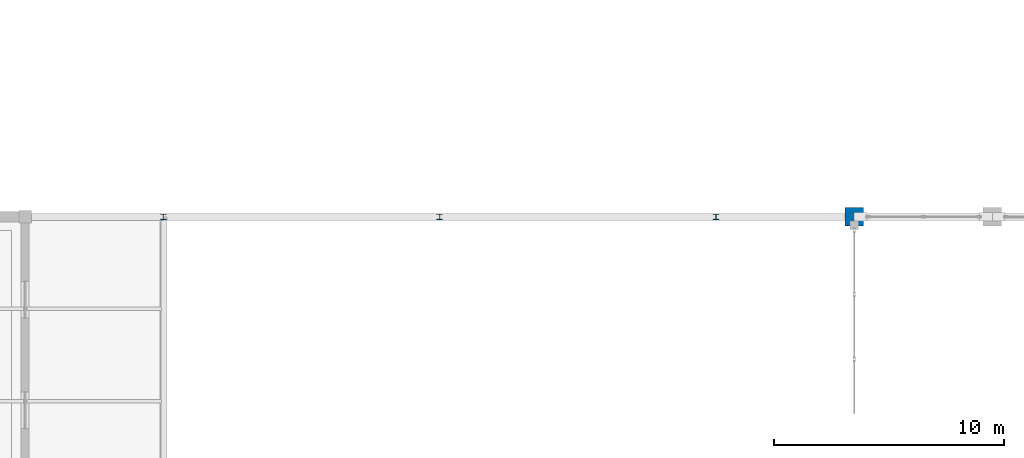
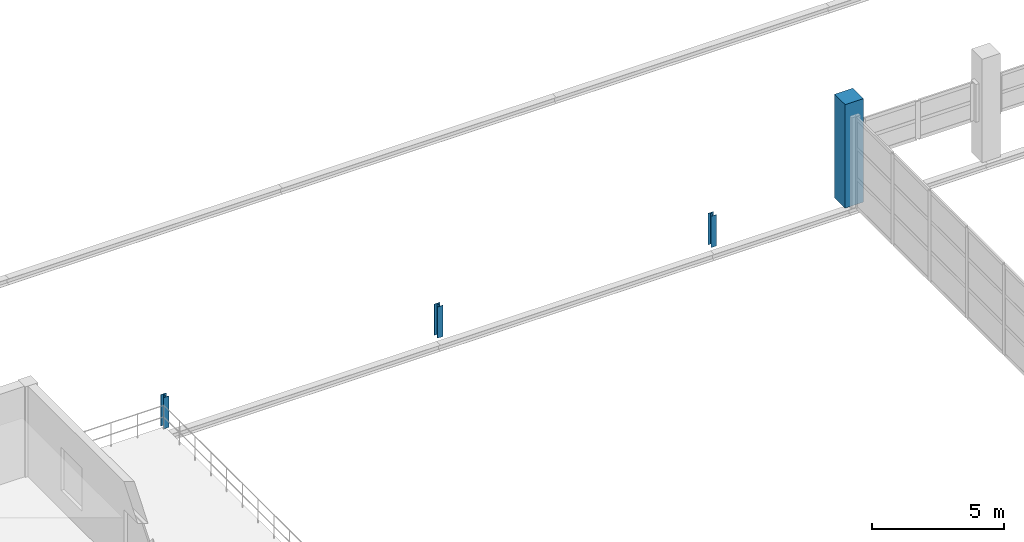
# One storey, part 6 of 86: 4 columns.
"""IFC4 building model written with IfcOpenShell, lengths in metres."""

from ifc_helpers import new_model, si_unit, direction, frame, origin, origin_2d, place, context, subcontext, project, spatial, rectangle, i_section, extrude, material, material_profile, profile_set, type_object, element, save


model = new_model("IFC4")

# Units and contexts
model_context = context("Model", 3, precision=1e-05, world=origin(), true_north=direction((0.0, 1.0)))
body_context = subcontext(model_context, "Body", "Model", "MODEL_VIEW")
ifc_project = project(units=[si_unit("LENGTHUNIT", "METRE"), si_unit("AREAUNIT", "SQUARE_METRE"), si_unit("VOLUMEUNIT", "CUBIC_METRE"), si_unit("PLANEANGLEUNIT", "RADIAN"), si_unit("MASSUNIT", "GRAM", prefix="KILO")], contexts=[model_context])

# Site, building, storey
site_placement = place(None, origin())
site = spatial("IfcSite", under=ifc_project, at=site_placement, CompositionType="ELEMENT")
building_placement = place(site_placement, origin())
building = spatial("IfcBuilding", under=site, at=building_placement, Name="Zilviju Railside Exhibition Hall", CompositionType="ELEMENT")
storey_placement = place(building_placement, frame((0.0, 0.0, 12.60009765625)))
storey = spatial("IfcBuildingStorey", under=building, at=storey_placement, Name="L04", CompositionType="ELEMENT", Elevation=12.60009765625)

# Columns
ifc_material_1 = material(Name="Concrete C40/50", Category="concrete")
ifc_material_profile_1 = material_profile(ifc_material_1, rectangle(XDim=0.800048828125, YDim=0.800048828125, at=origin_2d()), Name="RC COL 800x800")
ifc_profile_set_1 = profile_set([ifc_material_profile_1], Name="Concrete C40/50")
column_type_1 = type_object("IfcColumnType", Name="COL-RC-800", PredefinedType="COLUMN", material=ifc_profile_set_1)
column_placement = place(storey_placement, frame((78.0, 138.0, 0.0), z_axis=(0.0, 0.0, 1.0), x_axis=(1.0, 0.0, 0.0)))
element("IfcColumn", 1, at=column_placement, inside=storey, type_object=column_type_1, Name="Structural Column L04 (78.0, 138.0)", PredefinedType="COLUMN", context=body_context, shape_type="SweptSolid", body=[
    extrude(rectangle(XDim=0.800048828125, YDim=0.800048828125, at=origin_2d()), origin(), (0.0, 0.0, 1.0), 4.7998046875),
])
ifc_material_2 = material(Name="Steel S355ML", Category="steel")
ifc_material_profile_2 = material_profile(ifc_material_2, i_section(OverallWidth=0.239990234375, OverallDepth=0.239990234375, WebThickness=0.010009765625, FlangeThickness=0.01708984375, at=origin_2d()), Name="HEB 240")
ifc_profile_set_2 = profile_set([ifc_material_profile_2], Name="Steel S355ML")
column_type_2 = type_object("IfcColumnType", Name="COL-ST-HEB240", PredefinedType="COLUMN", material=ifc_profile_set_2)
for number, where, z_axis, x_axis, name in (
    (2, (48.0, 138.0, 0.0), (0.0, 0.0, 1.0), (1.0, 0.0, 0.0), "Logistics Roof Support Column (48.0, 138.0)"),
    (3, (60.0, 138.0, 0.0), (0.0, 0.0, 1.0), (1.0, 0.0, 0.0), "Logistics Roof Support Column (60.0, 138.0)"),
    (4, (72.0, 138.0, 0.0), (0.0, 0.0, 1.0), (1.0, 0.0, 0.0), "Logistics Roof Support Column (72.0, 138.0)"),
):
    element("IfcColumn", number, at=place(storey_placement, frame(where, z_axis=z_axis, x_axis=x_axis)), inside=storey, type_object=column_type_2, Name=name, PredefinedType="COLUMN", context=body_context, shape_type="SweptSolid", body=[
        extrude(i_section(OverallWidth=0.239990234375, OverallDepth=0.239990234375, WebThickness=0.010009765625, FlangeThickness=0.01708984375, at=origin_2d()), origin(), (0.0, 0.0, 1.0), 1.449951171875),
    ])

save(model, "model.ifc")
